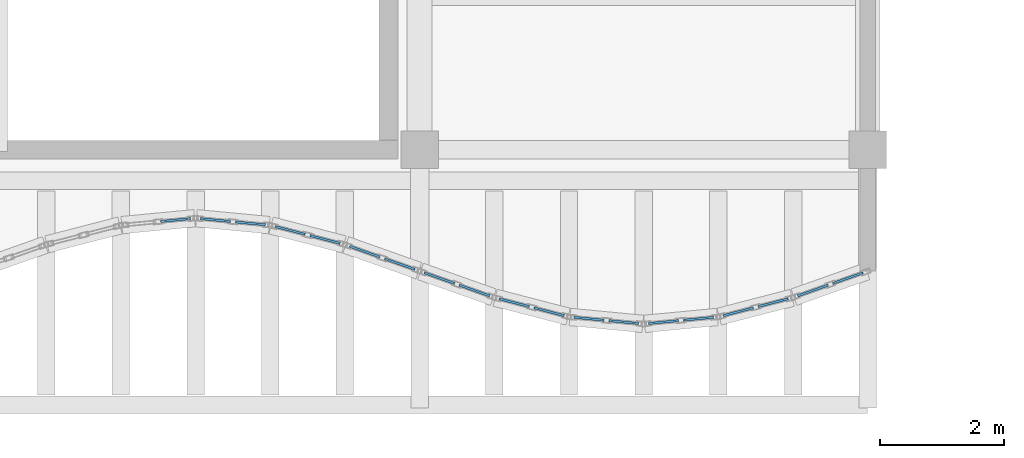
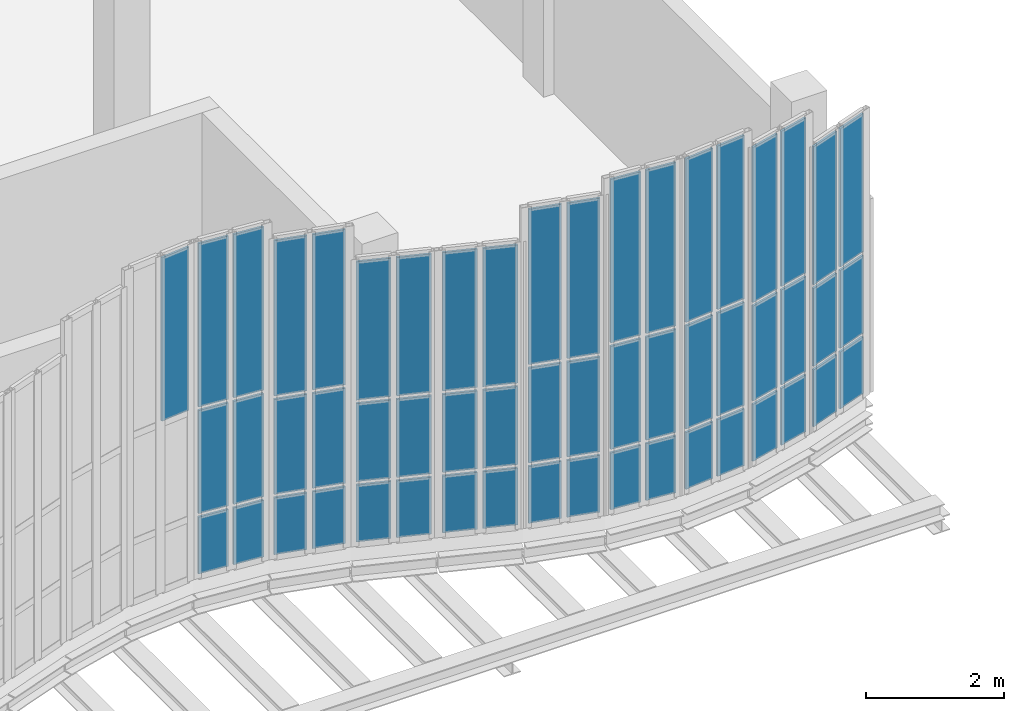
# One storey, part 59 of 76: 55 plates, 10 elements without a shape of their own.
"""IFC4 building model written with IfcOpenShell, lengths in metres."""

from ifc_helpers import new_model, si_unit, direction, frame, origin, origin_2d, place, context, subcontext, project, spatial, rectangle, extrude, material, layer, layer_set, type_object, element, aggregate, save


model = new_model("IFC4")

# Units and contexts
model_context = context("Model", 3, precision=1e-05, world=origin(), true_north=direction((0.0, 1.0)))
body_context = subcontext(model_context, "Body", "Model", "MODEL_VIEW")
ifc_project = project(units=[si_unit("LENGTHUNIT", "METRE"), si_unit("AREAUNIT", "SQUARE_METRE"), si_unit("VOLUMEUNIT", "CUBIC_METRE"), si_unit("PLANEANGLEUNIT", "RADIAN"), si_unit("MASSUNIT", "GRAM", prefix="KILO"), si_unit("THERMODYNAMICTEMPERATUREUNIT", "KELVIN"), si_unit("POWERUNIT", "WATT")], contexts=[model_context])

# Site, building, storey
site_placement = place(None, origin())
site = spatial("IfcSite", under=ifc_project, at=site_placement, CompositionType="ELEMENT")
building_placement = place(site_placement, origin())
building = spatial("IfcBuilding", under=site, at=building_placement, Name="Kaldorven Railside Theatre", CompositionType="ELEMENT")
storey_placement = place(building_placement, frame((0.0, 0.0, 14.39990234375)))
storey = spatial("IfcBuildingStorey", under=building, at=storey_placement, Name="L03", CompositionType="ELEMENT", Elevation=14.39990234375)

# Curtain wall, plate
ifc_material = material(Name="Low-E laminated solar-control glass", Category="glass")
ifc_layer_1 = layer(ifc_material, 0.159912109375, Name="Low-E laminated solar-control glass")
ifc_layer_set_1 = layer_set([ifc_layer_1], Name="Low-E laminated solar-control glass")
curtain_wall_type_1 = type_object("IfcCurtainWallType", Name="CWT-10", PredefinedType="USERDEFINED", material=ifc_layer_set_1)
curtain_wall_1_placement = place(storey_placement, origin())
curtain_wall_1 = element("IfcCurtainWall", 1, at=curtain_wall_1_placement, inside=storey, type_object=curtain_wall_type_1, Name="Sinusoidal Fluted Curtain Wall CW-L03-S63", ObjectType="FLUTED GLAZING", PredefinedType="USERDEFINED")
ifc_layer_2 = layer(ifc_material, 0.035888671875, Name="Low-E laminated solar-control glass")
ifc_layer_set_2 = layer_set([ifc_layer_2], Name="Low-E laminated solar-control glass")
plate_type = type_object("IfcPlateType", Name="CWP-CREST36", PredefinedType="CURTAIN_PANEL", material=ifc_layer_set_2)
plate_1_placement = place(storey_placement, frame((112.080078125, 18.069580078125, 3.020263671875), z_axis=(0.0, 0.0, 1.0), x_axis=(0.995525623425, 0.094491973758, 0.0)))
plate_1 = element("IfcPlate", 2, at=plate_1_placement, type_object=plate_type, Name="CW-L03-S63 panel 2.3", PredefinedType="CURTAIN_PANEL", context=body_context, shape_type="SweptSolid", body=[
    extrude(rectangle(XDim=0.482666015625, YDim=0.035888671875, at=origin_2d()), origin(), (0.0, 0.0, 1.0), 2.89990234375),
])
aggregate(curtain_wall_1, [plate_1])

# Curtain wall, plates
curtain_wall_2_placement = place(storey_placement, origin())
curtain_wall_2 = element("IfcCurtainWall", 3, at=curtain_wall_2_placement, inside=storey, type_object=curtain_wall_type_1, Name="Sinusoidal Fluted Curtain Wall CW-L03-S64", ObjectType="FLUTED GLAZING", PredefinedType="USERDEFINED")
plate_2_placement = place(storey_placement, frame((112.719970703125, 18.069580078125, 0.06005859375), z_axis=(0.0, 0.0, 1.0), x_axis=(0.995525623425, -0.094491973758, 0.0)))
plate_2 = element("IfcPlate", 4, at=plate_2_placement, type_object=plate_type, Name="CW-L03-S64 panel 1.1", PredefinedType="CURTAIN_PANEL", context=body_context, shape_type="SweptSolid", body=[
    extrude(rectangle(XDim=0.482666015625, YDim=0.035888671875, at=origin_2d()), origin(), (0.0, 0.0, 1.0), 1.010009765625),
])
plate_3_placement = place(storey_placement, frame((112.719970703125, 18.069580078125, 1.130126953125), z_axis=(0.0, 0.0, 1.0), x_axis=(0.995525623425, -0.094491973758, 0.0)))
plate_3 = element("IfcPlate", 5, at=plate_3_placement, type_object=plate_type, Name="CW-L03-S64 panel 1.2", PredefinedType="CURTAIN_PANEL", context=body_context, shape_type="SweptSolid", body=[
    extrude(rectangle(XDim=0.482666015625, YDim=0.035888671875, at=origin_2d()), origin(), (0.0, 0.0, 1.0), 1.830078125),
])
plate_4_placement = place(storey_placement, frame((112.719970703125, 18.069580078125, 3.020263671875), z_axis=(0.0, 0.0, 1.0), x_axis=(0.995525623425, -0.094491973758, 0.0)))
plate_4 = element("IfcPlate", 6, at=plate_4_placement, type_object=plate_type, Name="CW-L03-S64 panel 1.3", PredefinedType="CURTAIN_PANEL", context=body_context, shape_type="SweptSolid", body=[
    extrude(rectangle(XDim=0.482666015625, YDim=0.035888671875, at=origin_2d()), origin(), (0.0, 0.0, 1.0), 2.89990234375),
])
plate_5_placement = place(storey_placement, frame((113.280029296875, 18.016357421875, 0.06005859375), z_axis=(0.0, 0.0, 1.0), x_axis=(0.995525623425, -0.094491973758, 0.0)))
plate_5 = element("IfcPlate", 7, at=plate_5_placement, type_object=plate_type, Name="CW-L03-S64 panel 2.1", PredefinedType="CURTAIN_PANEL", context=body_context, shape_type="SweptSolid", body=[
    extrude(rectangle(XDim=0.482666015625, YDim=0.035888671875, at=origin_2d()), origin(), (0.0, 0.0, 1.0), 1.010009765625),
])
plate_6_placement = place(storey_placement, frame((113.280029296875, 18.016357421875, 1.130126953125), z_axis=(0.0, 0.0, 1.0), x_axis=(0.995525623425, -0.094491973758, 0.0)))
plate_6 = element("IfcPlate", 8, at=plate_6_placement, type_object=plate_type, Name="CW-L03-S64 panel 2.2", PredefinedType="CURTAIN_PANEL", context=body_context, shape_type="SweptSolid", body=[
    extrude(rectangle(XDim=0.482666015625, YDim=0.035888671875, at=origin_2d()), origin(), (0.0, 0.0, 1.0), 1.830078125),
])
plate_7_placement = place(storey_placement, frame((113.280029296875, 18.016357421875, 3.020263671875), z_axis=(0.0, 0.0, 1.0), x_axis=(0.995525623425, -0.094491973758, 0.0)))
plate_7 = element("IfcPlate", 9, at=plate_7_placement, type_object=plate_type, Name="CW-L03-S64 panel 2.3", PredefinedType="CURTAIN_PANEL", context=body_context, shape_type="SweptSolid", body=[
    extrude(rectangle(XDim=0.482666015625, YDim=0.035888671875, at=origin_2d()), origin(), (0.0, 0.0, 1.0), 2.89990234375),
])
aggregate(curtain_wall_2, [plate_2, plate_3, plate_4, plate_5, plate_6, plate_7])

ifc_layer_3 = layer(ifc_material, 0.159912109375, Name="Low-E laminated solar-control glass")
ifc_layer_set_3 = layer_set([ifc_layer_3], Name="Low-E laminated solar-control glass")
curtain_wall_type_2 = type_object("IfcCurtainWallType", Name="CWT-09", PredefinedType="USERDEFINED", material=ifc_layer_set_3)
curtain_wall_3_placement = place(storey_placement, origin())
curtain_wall_3 = element("IfcCurtainWall", 10, at=curtain_wall_3_placement, inside=storey, type_object=curtain_wall_type_2, Name="Sinusoidal Fluted Curtain Wall CW-L03-S65", ObjectType="FLUTED GLAZING", PredefinedType="USERDEFINED")
plate_8_placement = place(storey_placement, frame((113.91943359375, 17.9033203125, 0.06005859375), z_axis=(0.0, 0.0, 1.0), x_axis=(0.967999075505, -0.250953760326, 0.0)))
plate_8 = element("IfcPlate", 11, at=plate_8_placement, type_object=plate_type, Name="CW-L03-S65 panel 1.1", PredefinedType="CURTAIN_PANEL", context=body_context, shape_type="SweptSolid", body=[
    extrude(rectangle(XDim=0.499755859375, YDim=0.035888671875, at=origin_2d()), origin(), (0.0, 0.0, 1.0), 1.010009765625),
])
plate_9_placement = place(storey_placement, frame((113.91943359375, 17.9033203125, 1.130126953125), z_axis=(0.0, 0.0, 1.0), x_axis=(0.967999075505, -0.250953760326, 0.0)))
plate_9 = element("IfcPlate", 12, at=plate_9_placement, type_object=plate_type, Name="CW-L03-S65 panel 1.2", PredefinedType="CURTAIN_PANEL", context=body_context, shape_type="SweptSolid", body=[
    extrude(rectangle(XDim=0.499755859375, YDim=0.035888671875, at=origin_2d()), origin(), (0.0, 0.0, 1.0), 1.68505859375),
])
plate_10_placement = place(storey_placement, frame((113.91943359375, 17.9033203125, 2.875244140625), z_axis=(0.0, 0.0, 1.0), x_axis=(0.967999075505, -0.250953760326, 0.0)))
plate_10 = element("IfcPlate", 13, at=plate_10_placement, type_object=plate_type, Name="CW-L03-S65 panel 1.3", PredefinedType="CURTAIN_PANEL", context=body_context, shape_type="SweptSolid", body=[
    extrude(rectangle(XDim=0.499755859375, YDim=0.035888671875, at=origin_2d()), origin(), (0.0, 0.0, 1.0), 2.7548828125),
])
plate_11_placement = place(storey_placement, frame((114.480712890625, 17.7578125, 0.06005859375), z_axis=(0.0, 0.0, 1.0), x_axis=(0.967999075505, -0.250953760326, 0.0)))
plate_11 = element("IfcPlate", 14, at=plate_11_placement, type_object=plate_type, Name="CW-L03-S65 panel 2.1", PredefinedType="CURTAIN_PANEL", context=body_context, shape_type="SweptSolid", body=[
    extrude(rectangle(XDim=0.499755859375, YDim=0.035888671875, at=origin_2d()), origin(), (0.0, 0.0, 1.0), 1.010009765625),
])
plate_12_placement = place(storey_placement, frame((114.480712890625, 17.7578125, 1.130126953125), z_axis=(0.0, 0.0, 1.0), x_axis=(0.967999075505, -0.250953760326, 0.0)))
plate_12 = element("IfcPlate", 15, at=plate_12_placement, type_object=plate_type, Name="CW-L03-S65 panel 2.2", PredefinedType="CURTAIN_PANEL", context=body_context, shape_type="SweptSolid", body=[
    extrude(rectangle(XDim=0.499755859375, YDim=0.035888671875, at=origin_2d()), origin(), (0.0, 0.0, 1.0), 1.68505859375),
])
plate_13_placement = place(storey_placement, frame((114.480712890625, 17.7578125, 2.875244140625), z_axis=(0.0, 0.0, 1.0), x_axis=(0.967999075505, -0.250953760326, 0.0)))
plate_13 = element("IfcPlate", 16, at=plate_13_placement, type_object=plate_type, Name="CW-L03-S65 panel 2.3", PredefinedType="CURTAIN_PANEL", context=body_context, shape_type="SweptSolid", body=[
    extrude(rectangle(XDim=0.499755859375, YDim=0.035888671875, at=origin_2d()), origin(), (0.0, 0.0, 1.0), 2.7548828125),
])
aggregate(curtain_wall_3, [plate_8, plate_9, plate_10, plate_11, plate_12, plate_13])

ifc_layer_4 = layer(ifc_material, 0.159912109375, Name="Low-E laminated solar-control glass")
ifc_layer_set_4 = layer_set([ifc_layer_4], Name="Low-E laminated solar-control glass")
curtain_wall_type_3 = type_object("IfcCurtainWallType", Name="CWT-08", PredefinedType="USERDEFINED", material=ifc_layer_set_4)
curtain_wall_4_placement = place(storey_placement, origin())
curtain_wall_4 = element("IfcCurtainWall", 17, at=curtain_wall_4_placement, inside=storey, type_object=curtain_wall_type_3, Name="Sinusoidal Fluted Curtain Wall CW-L03-S66", ObjectType="FLUTED GLAZING", PredefinedType="USERDEFINED")
plate_14_placement = place(storey_placement, frame((115.118896484375, 17.56201171875, 0.06005859375), z_axis=(0.0, 0.0, 1.0), x_axis=(0.942627225159, -0.33384714225, 0.0)))
plate_14 = element("IfcPlate", 18, at=plate_14_placement, type_object=plate_type, Name="CW-L03-S66 panel 1.1", PredefinedType="CURTAIN_PANEL", context=body_context, shape_type="SweptSolid", body=[
    extrude(rectangle(XDim=0.5166015625, YDim=0.035888671875, at=origin_2d()), origin(), (0.0, 0.0, 1.0), 1.010009765625),
])
plate_15_placement = place(storey_placement, frame((115.118896484375, 17.56201171875, 1.1298828125), z_axis=(0.0, 0.0, 1.0), x_axis=(0.942627225159, -0.33384714225, 0.0)))
plate_15 = element("IfcPlate", 19, at=plate_15_placement, type_object=plate_type, Name="CW-L03-S66 panel 1.2", PredefinedType="CURTAIN_PANEL", context=body_context, shape_type="SweptSolid", body=[
    extrude(rectangle(XDim=0.5166015625, YDim=0.035888671875, at=origin_2d()), origin(), (0.0, 0.0, 1.0), 1.385009765625),
])
plate_16_placement = place(storey_placement, frame((115.118896484375, 17.56201171875, 2.574951171875), z_axis=(0.0, 0.0, 1.0), x_axis=(0.942627225159, -0.33384714225, 0.0)))
plate_16 = element("IfcPlate", 20, at=plate_16_placement, type_object=plate_type, Name="CW-L03-S66 panel 1.3", PredefinedType="CURTAIN_PANEL", context=body_context, shape_type="SweptSolid", body=[
    extrude(rectangle(XDim=0.5166015625, YDim=0.035888671875, at=origin_2d()), origin(), (0.0, 0.0, 1.0), 2.455078125),
])
plate_17_placement = place(storey_placement, frame((115.68115234375, 17.363037109375, 0.06005859375), z_axis=(0.0, 0.0, 1.0), x_axis=(0.942627225159, -0.33384714225, 0.0)))
plate_17 = element("IfcPlate", 21, at=plate_17_placement, type_object=plate_type, Name="CW-L03-S66 panel 2.1", PredefinedType="CURTAIN_PANEL", context=body_context, shape_type="SweptSolid", body=[
    extrude(rectangle(XDim=0.5166015625, YDim=0.035888671875, at=origin_2d()), origin(), (0.0, 0.0, 1.0), 1.010009765625),
])
plate_18_placement = place(storey_placement, frame((115.68115234375, 17.363037109375, 1.1298828125), z_axis=(0.0, 0.0, 1.0), x_axis=(0.942627225159, -0.33384714225, 0.0)))
plate_18 = element("IfcPlate", 22, at=plate_18_placement, type_object=plate_type, Name="CW-L03-S66 panel 2.2", PredefinedType="CURTAIN_PANEL", context=body_context, shape_type="SweptSolid", body=[
    extrude(rectangle(XDim=0.5166015625, YDim=0.035888671875, at=origin_2d()), origin(), (0.0, 0.0, 1.0), 1.385009765625),
])
plate_19_placement = place(storey_placement, frame((115.68115234375, 17.363037109375, 2.574951171875), z_axis=(0.0, 0.0, 1.0), x_axis=(0.942627225159, -0.33384714225, 0.0)))
plate_19 = element("IfcPlate", 23, at=plate_19_placement, type_object=plate_type, Name="CW-L03-S66 panel 2.3", PredefinedType="CURTAIN_PANEL", context=body_context, shape_type="SweptSolid", body=[
    extrude(rectangle(XDim=0.5166015625, YDim=0.035888671875, at=origin_2d()), origin(), (0.0, 0.0, 1.0), 2.455078125),
])
aggregate(curtain_wall_4, [plate_14, plate_15, plate_16, plate_17, plate_18, plate_19])

curtain_wall_5_placement = place(storey_placement, origin())
curtain_wall_5 = element("IfcCurtainWall", 24, at=curtain_wall_5_placement, inside=storey, type_object=curtain_wall_type_3, Name="Sinusoidal Fluted Curtain Wall CW-L03-S67", ObjectType="FLUTED GLAZING", PredefinedType="USERDEFINED")
plate_20_placement = place(storey_placement, frame((116.31884765625, 17.136962890625, 0.06005859375), z_axis=(0.0, 0.0, 1.0), x_axis=(0.942627225159, -0.33384714225, 0.0)))
plate_20 = element("IfcPlate", 25, at=plate_20_placement, type_object=plate_type, Name="CW-L03-S67 panel 1.1", PredefinedType="CURTAIN_PANEL", context=body_context, shape_type="SweptSolid", body=[
    extrude(rectangle(XDim=0.5166015625, YDim=0.035888671875, at=origin_2d()), origin(), (0.0, 0.0, 1.0), 1.010009765625),
])
plate_21_placement = place(storey_placement, frame((116.31884765625, 17.136962890625, 1.1298828125), z_axis=(0.0, 0.0, 1.0), x_axis=(0.942627225159, -0.33384714225, 0.0)))
plate_21 = element("IfcPlate", 26, at=plate_21_placement, type_object=plate_type, Name="CW-L03-S67 panel 1.2", PredefinedType="CURTAIN_PANEL", context=body_context, shape_type="SweptSolid", body=[
    extrude(rectangle(XDim=0.5166015625, YDim=0.035888671875, at=origin_2d()), origin(), (0.0, 0.0, 1.0), 1.385009765625),
])
plate_22_placement = place(storey_placement, frame((116.31884765625, 17.136962890625, 2.574951171875), z_axis=(0.0, 0.0, 1.0), x_axis=(0.942627225159, -0.33384714225, 0.0)))
plate_22 = element("IfcPlate", 27, at=plate_22_placement, type_object=plate_type, Name="CW-L03-S67 panel 1.3", PredefinedType="CURTAIN_PANEL", context=body_context, shape_type="SweptSolid", body=[
    extrude(rectangle(XDim=0.5166015625, YDim=0.035888671875, at=origin_2d()), origin(), (0.0, 0.0, 1.0), 2.455078125),
])
plate_23_placement = place(storey_placement, frame((116.881103515625, 16.93798828125, 0.06005859375), z_axis=(0.0, 0.0, 1.0), x_axis=(0.942627225159, -0.33384714225, 0.0)))
plate_23 = element("IfcPlate", 28, at=plate_23_placement, type_object=plate_type, Name="CW-L03-S67 panel 2.1", PredefinedType="CURTAIN_PANEL", context=body_context, shape_type="SweptSolid", body=[
    extrude(rectangle(XDim=0.5166015625, YDim=0.035888671875, at=origin_2d()), origin(), (0.0, 0.0, 1.0), 1.010009765625),
])
plate_24_placement = place(storey_placement, frame((116.881103515625, 16.93798828125, 1.1298828125), z_axis=(0.0, 0.0, 1.0), x_axis=(0.942627225159, -0.33384714225, 0.0)))
plate_24 = element("IfcPlate", 29, at=plate_24_placement, type_object=plate_type, Name="CW-L03-S67 panel 2.2", PredefinedType="CURTAIN_PANEL", context=body_context, shape_type="SweptSolid", body=[
    extrude(rectangle(XDim=0.5166015625, YDim=0.035888671875, at=origin_2d()), origin(), (0.0, 0.0, 1.0), 1.385009765625),
])
plate_25_placement = place(storey_placement, frame((116.881103515625, 16.93798828125, 2.574951171875), z_axis=(0.0, 0.0, 1.0), x_axis=(0.942627225159, -0.33384714225, 0.0)))
plate_25 = element("IfcPlate", 30, at=plate_25_placement, type_object=plate_type, Name="CW-L03-S67 panel 2.3", PredefinedType="CURTAIN_PANEL", context=body_context, shape_type="SweptSolid", body=[
    extrude(rectangle(XDim=0.5166015625, YDim=0.035888671875, at=origin_2d()), origin(), (0.0, 0.0, 1.0), 2.455078125),
])
aggregate(curtain_wall_5, [plate_20, plate_21, plate_22, plate_23, plate_24, plate_25])

curtain_wall_6_placement = place(storey_placement, origin())
curtain_wall_6 = element("IfcCurtainWall", 31, at=curtain_wall_6_placement, inside=storey, type_object=curtain_wall_type_2, Name="Sinusoidal Fluted Curtain Wall CW-L03-S68", ObjectType="FLUTED GLAZING", PredefinedType="USERDEFINED")
plate_26_placement = place(storey_placement, frame((117.519287109375, 16.7421875, 0.06005859375), z_axis=(0.0, 0.0, 1.0), x_axis=(0.967999075505, -0.250953760326, 0.0)))
plate_26 = element("IfcPlate", 32, at=plate_26_placement, type_object=plate_type, Name="CW-L03-S68 panel 1.1", PredefinedType="CURTAIN_PANEL", context=body_context, shape_type="SweptSolid", body=[
    extrude(rectangle(XDim=0.499755859375, YDim=0.035888671875, at=origin_2d()), origin(), (0.0, 0.0, 1.0), 1.010009765625),
])
plate_27_placement = place(storey_placement, frame((117.519287109375, 16.7421875, 1.130126953125), z_axis=(0.0, 0.0, 1.0), x_axis=(0.967999075505, -0.250953760326, 0.0)))
plate_27 = element("IfcPlate", 33, at=plate_27_placement, type_object=plate_type, Name="CW-L03-S68 panel 1.2", PredefinedType="CURTAIN_PANEL", context=body_context, shape_type="SweptSolid", body=[
    extrude(rectangle(XDim=0.499755859375, YDim=0.035888671875, at=origin_2d()), origin(), (0.0, 0.0, 1.0), 1.68505859375),
])
plate_28_placement = place(storey_placement, frame((117.519287109375, 16.7421875, 2.875244140625), z_axis=(0.0, 0.0, 1.0), x_axis=(0.967999075505, -0.250953760326, 0.0)))
plate_28 = element("IfcPlate", 34, at=plate_28_placement, type_object=plate_type, Name="CW-L03-S68 panel 1.3", PredefinedType="CURTAIN_PANEL", context=body_context, shape_type="SweptSolid", body=[
    extrude(rectangle(XDim=0.499755859375, YDim=0.035888671875, at=origin_2d()), origin(), (0.0, 0.0, 1.0), 2.7548828125),
])
plate_29_placement = place(storey_placement, frame((118.08056640625, 16.5966796875, 0.06005859375), z_axis=(0.0, 0.0, 1.0), x_axis=(0.967999075505, -0.250953760326, 0.0)))
plate_29 = element("IfcPlate", 35, at=plate_29_placement, type_object=plate_type, Name="CW-L03-S68 panel 2.1", PredefinedType="CURTAIN_PANEL", context=body_context, shape_type="SweptSolid", body=[
    extrude(rectangle(XDim=0.499755859375, YDim=0.035888671875, at=origin_2d()), origin(), (0.0, 0.0, 1.0), 1.010009765625),
])
plate_30_placement = place(storey_placement, frame((118.08056640625, 16.5966796875, 1.130126953125), z_axis=(0.0, 0.0, 1.0), x_axis=(0.967999075505, -0.250953760326, 0.0)))
plate_30 = element("IfcPlate", 36, at=plate_30_placement, type_object=plate_type, Name="CW-L03-S68 panel 2.2", PredefinedType="CURTAIN_PANEL", context=body_context, shape_type="SweptSolid", body=[
    extrude(rectangle(XDim=0.499755859375, YDim=0.035888671875, at=origin_2d()), origin(), (0.0, 0.0, 1.0), 1.68505859375),
])
plate_31_placement = place(storey_placement, frame((118.08056640625, 16.5966796875, 2.875244140625), z_axis=(0.0, 0.0, 1.0), x_axis=(0.967999075505, -0.250953760326, 0.0)))
plate_31 = element("IfcPlate", 37, at=plate_31_placement, type_object=plate_type, Name="CW-L03-S68 panel 2.3", PredefinedType="CURTAIN_PANEL", context=body_context, shape_type="SweptSolid", body=[
    extrude(rectangle(XDim=0.499755859375, YDim=0.035888671875, at=origin_2d()), origin(), (0.0, 0.0, 1.0), 2.7548828125),
])
aggregate(curtain_wall_6, [plate_26, plate_27, plate_28, plate_29, plate_30, plate_31])

curtain_wall_7_placement = place(storey_placement, origin())
curtain_wall_7 = element("IfcCurtainWall", 38, at=curtain_wall_7_placement, inside=storey, type_object=curtain_wall_type_1, Name="Sinusoidal Fluted Curtain Wall CW-L03-S69", ObjectType="FLUTED GLAZING", PredefinedType="USERDEFINED")
plate_32_placement = place(storey_placement, frame((118.719970703125, 16.483642578125, 0.06005859375), z_axis=(0.0, 0.0, 1.0), x_axis=(0.995525623425, -0.094491973758, 0.0)))
plate_32 = element("IfcPlate", 39, at=plate_32_placement, type_object=plate_type, Name="CW-L03-S69 panel 1.1", PredefinedType="CURTAIN_PANEL", context=body_context, shape_type="SweptSolid", body=[
    extrude(rectangle(XDim=0.482666015625, YDim=0.035888671875, at=origin_2d()), origin(), (0.0, 0.0, 1.0), 1.010009765625),
])
plate_33_placement = place(storey_placement, frame((118.719970703125, 16.483642578125, 1.130126953125), z_axis=(0.0, 0.0, 1.0), x_axis=(0.995525623425, -0.094491973758, 0.0)))
plate_33 = element("IfcPlate", 40, at=plate_33_placement, type_object=plate_type, Name="CW-L03-S69 panel 1.2", PredefinedType="CURTAIN_PANEL", context=body_context, shape_type="SweptSolid", body=[
    extrude(rectangle(XDim=0.482666015625, YDim=0.035888671875, at=origin_2d()), origin(), (0.0, 0.0, 1.0), 1.830078125),
])
plate_34_placement = place(storey_placement, frame((118.719970703125, 16.483642578125, 3.020263671875), z_axis=(0.0, 0.0, 1.0), x_axis=(0.995525623425, -0.094491973758, 0.0)))
plate_34 = element("IfcPlate", 41, at=plate_34_placement, type_object=plate_type, Name="CW-L03-S69 panel 1.3", PredefinedType="CURTAIN_PANEL", context=body_context, shape_type="SweptSolid", body=[
    extrude(rectangle(XDim=0.482666015625, YDim=0.035888671875, at=origin_2d()), origin(), (0.0, 0.0, 1.0), 2.89990234375),
])
plate_35_placement = place(storey_placement, frame((119.280029296875, 16.430419921875, 0.06005859375), z_axis=(0.0, 0.0, 1.0), x_axis=(0.995525623425, -0.094491973758, 0.0)))
plate_35 = element("IfcPlate", 42, at=plate_35_placement, type_object=plate_type, Name="CW-L03-S69 panel 2.1", PredefinedType="CURTAIN_PANEL", context=body_context, shape_type="SweptSolid", body=[
    extrude(rectangle(XDim=0.482666015625, YDim=0.035888671875, at=origin_2d()), origin(), (0.0, 0.0, 1.0), 1.010009765625),
])
plate_36_placement = place(storey_placement, frame((119.280029296875, 16.430419921875, 1.130126953125), z_axis=(0.0, 0.0, 1.0), x_axis=(0.995525623425, -0.094491973758, 0.0)))
plate_36 = element("IfcPlate", 43, at=plate_36_placement, type_object=plate_type, Name="CW-L03-S69 panel 2.2", PredefinedType="CURTAIN_PANEL", context=body_context, shape_type="SweptSolid", body=[
    extrude(rectangle(XDim=0.482666015625, YDim=0.035888671875, at=origin_2d()), origin(), (0.0, 0.0, 1.0), 1.830078125),
])
plate_37_placement = place(storey_placement, frame((119.280029296875, 16.430419921875, 3.020263671875), z_axis=(0.0, 0.0, 1.0), x_axis=(0.995525623425, -0.094491973758, 0.0)))
plate_37 = element("IfcPlate", 44, at=plate_37_placement, type_object=plate_type, Name="CW-L03-S69 panel 2.3", PredefinedType="CURTAIN_PANEL", context=body_context, shape_type="SweptSolid", body=[
    extrude(rectangle(XDim=0.482666015625, YDim=0.035888671875, at=origin_2d()), origin(), (0.0, 0.0, 1.0), 2.89990234375),
])
aggregate(curtain_wall_7, [plate_32, plate_33, plate_34, plate_35, plate_36, plate_37])

curtain_wall_8_placement = place(storey_placement, origin())
curtain_wall_8 = element("IfcCurtainWall", 45, at=curtain_wall_8_placement, inside=storey, type_object=curtain_wall_type_1, Name="Sinusoidal Fluted Curtain Wall CW-L03-S70", ObjectType="FLUTED GLAZING", PredefinedType="USERDEFINED")
plate_38_placement = place(storey_placement, frame((119.919921875, 16.430419921875, 0.06005859375), z_axis=(0.0, 0.0, 1.0), x_axis=(0.995525623425, 0.094491973758, 0.0)))
plate_38 = element("IfcPlate", 46, at=plate_38_placement, type_object=plate_type, Name="CW-L03-S70 panel 1.1", PredefinedType="CURTAIN_PANEL", context=body_context, shape_type="SweptSolid", body=[
    extrude(rectangle(XDim=0.482666015625, YDim=0.035888671875, at=origin_2d()), origin(), (0.0, 0.0, 1.0), 1.010009765625),
])
plate_39_placement = place(storey_placement, frame((119.919921875, 16.430419921875, 1.130126953125), z_axis=(0.0, 0.0, 1.0), x_axis=(0.995525623425, 0.094491973758, 0.0)))
plate_39 = element("IfcPlate", 47, at=plate_39_placement, type_object=plate_type, Name="CW-L03-S70 panel 1.2", PredefinedType="CURTAIN_PANEL", context=body_context, shape_type="SweptSolid", body=[
    extrude(rectangle(XDim=0.482666015625, YDim=0.035888671875, at=origin_2d()), origin(), (0.0, 0.0, 1.0), 1.830078125),
])
plate_40_placement = place(storey_placement, frame((119.919921875, 16.430419921875, 3.020263671875), z_axis=(0.0, 0.0, 1.0), x_axis=(0.995525623425, 0.094491973758, 0.0)))
plate_40 = element("IfcPlate", 48, at=plate_40_placement, type_object=plate_type, Name="CW-L03-S70 panel 1.3", PredefinedType="CURTAIN_PANEL", context=body_context, shape_type="SweptSolid", body=[
    extrude(rectangle(XDim=0.482666015625, YDim=0.035888671875, at=origin_2d()), origin(), (0.0, 0.0, 1.0), 2.89990234375),
])
plate_41_placement = place(storey_placement, frame((120.47998046875, 16.483642578125, 0.06005859375), z_axis=(0.0, 0.0, 1.0), x_axis=(0.995525623425, 0.094491973758, 0.0)))
plate_41 = element("IfcPlate", 49, at=plate_41_placement, type_object=plate_type, Name="CW-L03-S70 panel 2.1", PredefinedType="CURTAIN_PANEL", context=body_context, shape_type="SweptSolid", body=[
    extrude(rectangle(XDim=0.482666015625, YDim=0.035888671875, at=origin_2d()), origin(), (0.0, 0.0, 1.0), 1.010009765625),
])
plate_42_placement = place(storey_placement, frame((120.47998046875, 16.483642578125, 1.130126953125), z_axis=(0.0, 0.0, 1.0), x_axis=(0.995525623425, 0.094491973758, 0.0)))
plate_42 = element("IfcPlate", 50, at=plate_42_placement, type_object=plate_type, Name="CW-L03-S70 panel 2.2", PredefinedType="CURTAIN_PANEL", context=body_context, shape_type="SweptSolid", body=[
    extrude(rectangle(XDim=0.482666015625, YDim=0.035888671875, at=origin_2d()), origin(), (0.0, 0.0, 1.0), 1.830078125),
])
plate_43_placement = place(storey_placement, frame((120.47998046875, 16.483642578125, 3.020263671875), z_axis=(0.0, 0.0, 1.0), x_axis=(0.995525623425, 0.094491973758, 0.0)))
plate_43 = element("IfcPlate", 51, at=plate_43_placement, type_object=plate_type, Name="CW-L03-S70 panel 2.3", PredefinedType="CURTAIN_PANEL", context=body_context, shape_type="SweptSolid", body=[
    extrude(rectangle(XDim=0.482666015625, YDim=0.035888671875, at=origin_2d()), origin(), (0.0, 0.0, 1.0), 2.89990234375),
])
aggregate(curtain_wall_8, [plate_38, plate_39, plate_40, plate_41, plate_42, plate_43])

curtain_wall_9_placement = place(storey_placement, origin())
curtain_wall_9 = element("IfcCurtainWall", 52, at=curtain_wall_9_placement, inside=storey, type_object=curtain_wall_type_2, Name="Sinusoidal Fluted Curtain Wall CW-L03-S71", ObjectType="FLUTED GLAZING", PredefinedType="USERDEFINED")
plate_44_placement = place(storey_placement, frame((121.119384765625, 16.5966796875, 0.06005859375), z_axis=(0.0, 0.0, 1.0), x_axis=(0.967999075505, 0.250953760326, 0.0)))
plate_44 = element("IfcPlate", 53, at=plate_44_placement, type_object=plate_type, Name="CW-L03-S71 panel 1.1", PredefinedType="CURTAIN_PANEL", context=body_context, shape_type="SweptSolid", body=[
    extrude(rectangle(XDim=0.499755859375, YDim=0.035888671875, at=origin_2d()), origin(), (0.0, 0.0, 1.0), 1.010009765625),
])
plate_45_placement = place(storey_placement, frame((121.119384765625, 16.5966796875, 1.130126953125), z_axis=(0.0, 0.0, 1.0), x_axis=(0.967999075505, 0.250953760326, 0.0)))
plate_45 = element("IfcPlate", 54, at=plate_45_placement, type_object=plate_type, Name="CW-L03-S71 panel 1.2", PredefinedType="CURTAIN_PANEL", context=body_context, shape_type="SweptSolid", body=[
    extrude(rectangle(XDim=0.499755859375, YDim=0.035888671875, at=origin_2d()), origin(), (0.0, 0.0, 1.0), 1.68505859375),
])
plate_46_placement = place(storey_placement, frame((121.119384765625, 16.5966796875, 2.875244140625), z_axis=(0.0, 0.0, 1.0), x_axis=(0.967999075505, 0.250953760326, 0.0)))
plate_46 = element("IfcPlate", 55, at=plate_46_placement, type_object=plate_type, Name="CW-L03-S71 panel 1.3", PredefinedType="CURTAIN_PANEL", context=body_context, shape_type="SweptSolid", body=[
    extrude(rectangle(XDim=0.499755859375, YDim=0.035888671875, at=origin_2d()), origin(), (0.0, 0.0, 1.0), 2.7548828125),
])
plate_47_placement = place(storey_placement, frame((121.6806640625, 16.7421875, 0.06005859375), z_axis=(0.0, 0.0, 1.0), x_axis=(0.967999075505, 0.250953760326, 0.0)))
plate_47 = element("IfcPlate", 56, at=plate_47_placement, type_object=plate_type, Name="CW-L03-S71 panel 2.1", PredefinedType="CURTAIN_PANEL", context=body_context, shape_type="SweptSolid", body=[
    extrude(rectangle(XDim=0.499755859375, YDim=0.035888671875, at=origin_2d()), origin(), (0.0, 0.0, 1.0), 1.010009765625),
])
plate_48_placement = place(storey_placement, frame((121.6806640625, 16.7421875, 1.130126953125), z_axis=(0.0, 0.0, 1.0), x_axis=(0.967999075505, 0.250953760326, 0.0)))
plate_48 = element("IfcPlate", 57, at=plate_48_placement, type_object=plate_type, Name="CW-L03-S71 panel 2.2", PredefinedType="CURTAIN_PANEL", context=body_context, shape_type="SweptSolid", body=[
    extrude(rectangle(XDim=0.499755859375, YDim=0.035888671875, at=origin_2d()), origin(), (0.0, 0.0, 1.0), 1.68505859375),
])
plate_49_placement = place(storey_placement, frame((121.6806640625, 16.7421875, 2.875244140625), z_axis=(0.0, 0.0, 1.0), x_axis=(0.967999075505, 0.250953760326, 0.0)))
plate_49 = element("IfcPlate", 58, at=plate_49_placement, type_object=plate_type, Name="CW-L03-S71 panel 2.3", PredefinedType="CURTAIN_PANEL", context=body_context, shape_type="SweptSolid", body=[
    extrude(rectangle(XDim=0.499755859375, YDim=0.035888671875, at=origin_2d()), origin(), (0.0, 0.0, 1.0), 2.7548828125),
])
aggregate(curtain_wall_9, [plate_44, plate_45, plate_46, plate_47, plate_48, plate_49])

curtain_wall_10_placement = place(storey_placement, origin())
curtain_wall_10 = element("IfcCurtainWall", 59, at=curtain_wall_10_placement, inside=storey, type_object=curtain_wall_type_3, Name="Sinusoidal Fluted Curtain Wall CW-L03-S72", ObjectType="FLUTED GLAZING", PredefinedType="USERDEFINED")
plate_50_placement = place(storey_placement, frame((122.31884765625, 16.93798828125, 0.06005859375), z_axis=(0.0, 0.0, 1.0), x_axis=(0.942627225159, 0.33384714225, 0.0)))
plate_50 = element("IfcPlate", 60, at=plate_50_placement, type_object=plate_type, Name="CW-L03-S72 panel 1.1", PredefinedType="CURTAIN_PANEL", context=body_context, shape_type="SweptSolid", body=[
    extrude(rectangle(XDim=0.5166015625, YDim=0.035888671875, at=origin_2d()), origin(), (0.0, 0.0, 1.0), 1.010009765625),
])
plate_51_placement = place(storey_placement, frame((122.31884765625, 16.93798828125, 1.1298828125), z_axis=(0.0, 0.0, 1.0), x_axis=(0.942627225159, 0.33384714225, 0.0)))
plate_51 = element("IfcPlate", 61, at=plate_51_placement, type_object=plate_type, Name="CW-L03-S72 panel 1.2", PredefinedType="CURTAIN_PANEL", context=body_context, shape_type="SweptSolid", body=[
    extrude(rectangle(XDim=0.5166015625, YDim=0.035888671875, at=origin_2d()), origin(), (0.0, 0.0, 1.0), 1.385009765625),
])
plate_52_placement = place(storey_placement, frame((122.31884765625, 16.93798828125, 2.574951171875), z_axis=(0.0, 0.0, 1.0), x_axis=(0.942627225159, 0.33384714225, 0.0)))
plate_52 = element("IfcPlate", 62, at=plate_52_placement, type_object=plate_type, Name="CW-L03-S72 panel 1.3", PredefinedType="CURTAIN_PANEL", context=body_context, shape_type="SweptSolid", body=[
    extrude(rectangle(XDim=0.5166015625, YDim=0.035888671875, at=origin_2d()), origin(), (0.0, 0.0, 1.0), 2.455078125),
])
plate_53_placement = place(storey_placement, frame((122.881103515625, 17.136962890625, 0.06005859375), z_axis=(0.0, 0.0, 1.0), x_axis=(0.942627225159, 0.33384714225, 0.0)))
plate_53 = element("IfcPlate", 63, at=plate_53_placement, type_object=plate_type, Name="CW-L03-S72 panel 2.1", PredefinedType="CURTAIN_PANEL", context=body_context, shape_type="SweptSolid", body=[
    extrude(rectangle(XDim=0.5166015625, YDim=0.035888671875, at=origin_2d()), origin(), (0.0, 0.0, 1.0), 1.010009765625),
])
plate_54_placement = place(storey_placement, frame((122.881103515625, 17.136962890625, 1.1298828125), z_axis=(0.0, 0.0, 1.0), x_axis=(0.942627225159, 0.33384714225, 0.0)))
plate_54 = element("IfcPlate", 64, at=plate_54_placement, type_object=plate_type, Name="CW-L03-S72 panel 2.2", PredefinedType="CURTAIN_PANEL", context=body_context, shape_type="SweptSolid", body=[
    extrude(rectangle(XDim=0.5166015625, YDim=0.035888671875, at=origin_2d()), origin(), (0.0, 0.0, 1.0), 1.385009765625),
])
plate_55_placement = place(storey_placement, frame((122.881103515625, 17.136962890625, 2.574951171875), z_axis=(0.0, 0.0, 1.0), x_axis=(0.942627225159, 0.33384714225, 0.0)))
plate_55 = element("IfcPlate", 65, at=plate_55_placement, type_object=plate_type, Name="CW-L03-S72 panel 2.3", PredefinedType="CURTAIN_PANEL", context=body_context, shape_type="SweptSolid", body=[
    extrude(rectangle(XDim=0.5166015625, YDim=0.035888671875, at=origin_2d()), origin(), (0.0, 0.0, 1.0), 2.455078125),
])
aggregate(curtain_wall_10, [plate_50, plate_51, plate_52, plate_53, plate_54, plate_55])

save(model, "model.ifc")
